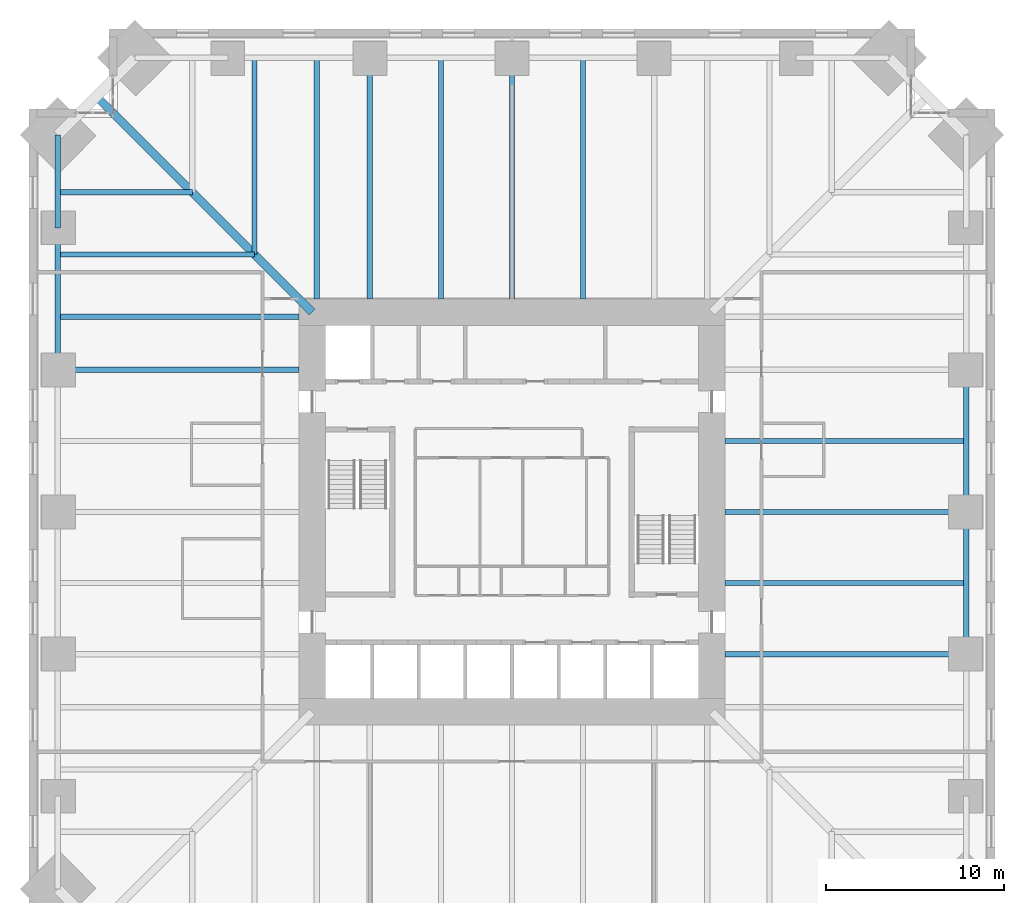
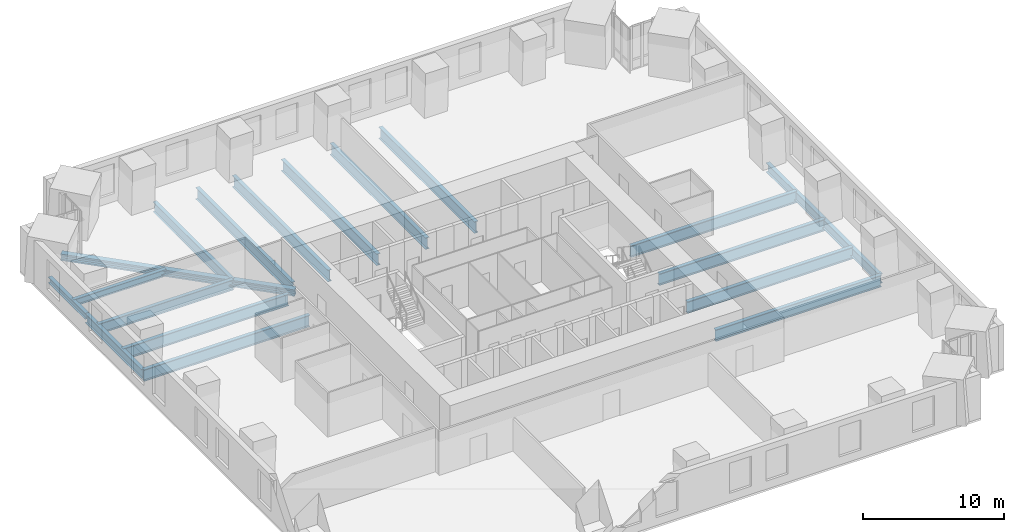
# One storey, part 5 of 16: 19 beams.
"""IFC4 building model written with IfcOpenShell, lengths in metres."""

from ifc_helpers import new_model, si_unit, direction, frame, origin, origin_2d, place, context, subcontext, project, spatial, i_section, extrude, material, material_profile, profile_set, type_object, element, save


model = new_model("IFC4")

# Units and contexts
model_context = context("Model", 3, precision=1e-05, world=origin(), true_north=direction((0.0, 1.0)))
body_context = subcontext(model_context, "Body", "Model", "MODEL_VIEW")
ifc_project = project(units=[si_unit("LENGTHUNIT", "METRE"), si_unit("AREAUNIT", "SQUARE_METRE"), si_unit("VOLUMEUNIT", "CUBIC_METRE"), si_unit("PLANEANGLEUNIT", "RADIAN"), si_unit("MASSUNIT", "GRAM", prefix="KILO")], contexts=[model_context])

# Site, building, storey
site_placement = place(None, origin())
site = spatial("IfcSite", under=ifc_project, at=site_placement, CompositionType="ELEMENT")
building_placement = place(site_placement, origin())
building = spatial("IfcBuilding", under=site, at=building_placement, Name="Peilmerk Tower", CompositionType="ELEMENT")
storey_placement = place(building_placement, frame((0.0, 0.0, 131.800048828125)))
storey = spatial("IfcBuildingStorey", under=building, at=storey_placement, Name="L26", CompositionType="ELEMENT", Elevation=131.800048828125)

# Beams
ifc_material_1 = material(Name="Steel S355", Category="steel")
ifc_material_profile_1 = material_profile(ifc_material_1, i_section(OverallWidth=0.302978515625, OverallDepth=0.81396484375, WebThickness=0.02099609375, FlangeThickness=0.0400390625, at=origin_2d()), Name="HEM 800")
ifc_profile_set_1 = profile_set([ifc_material_profile_1], Name="Steel S355")
beam_type_1 = type_object("IfcBeamType", Name="B15 HEM 800 edge beam", PredefinedType="SPANDREL", material=ifc_profile_set_1)
for number, where, z_axis, x_axis, name in (
    (1, (25.582275390625, -8.0, -0.5771484375), (0.0, 1.0, 0.0), (-1.0, 0.0, 0.0), "Edge beam L26"),
    (2, (25.582275390625, 0.0, -0.5771484375), (0.0, 1.0, 0.0), (-1.0, 0.0, 0.0), "Edge beam L26"),
    (3, (-25.582275390625, 16.0, -0.5771484375), (0.0, -1.0, 0.0), (1.0, 0.0, 0.0), "Edge beam L26"),
):
    element("IfcBeam", number, at=place(storey_placement, frame(where, z_axis=z_axis, x_axis=x_axis)), inside=storey, type_object=beam_type_1, Name=name, PredefinedType="SPANDREL", context=body_context, shape_type="SweptSolid", body=[
        extrude(i_section(OverallWidth=0.302978515625, OverallDepth=0.81396484375, WebThickness=0.02099609375, FlangeThickness=0.0400390625, at=origin_2d()), origin(), (0.0, 0.0, 1.0), 8.0),
    ])
ifc_material_profile_2 = material_profile(ifc_material_1, i_section(OverallWidth=0.302001953125, OverallDepth=1.008056640625, WebThickness=0.02099609375, FlangeThickness=0.0400390625, at=origin_2d()), Name="HEM 1000")
ifc_profile_set_2 = profile_set([ifc_material_profile_2], Name="Steel S355")
beam_type_2 = type_object("IfcBeamType", Name="B24 HEM 1000 floor girder", PredefinedType="BEAM", material=ifc_profile_set_2)
for number, where, z_axis, x_axis, name in (
    (4, (4.0, 12.0, -0.674072265625), (0.0, 1.0, 0.0), (-1.0, 0.0, 0.0), "Floor beam L26"),
    (5, (0.0, 12.0, -0.674072265625), (0.0, 1.0, 0.0), (-1.0, 0.0, 0.0), "Floor beam L26"),
    (6, (-4.0, 12.0, -0.674072265625), (0.0, 1.0, 0.0), (-1.0, 0.0, 0.0), "Floor beam L26"),
    (7, (-8.0, 12.0, -0.674072265625), (0.0, 1.0, 0.0), (-1.0, 0.0, 0.0), "Floor beam L26"),
    (8, (-11.0, 12.0, -0.674072265625), (0.0, 1.0, 0.0), (-1.0, 0.0, 0.0), "Floor beam L26"),
    (9, (12.0, -8.0, -0.674072265625), (1.0, 0.0, 0.0), (0.0, 1.0, 0.0), "Floor beam L26"),
    (10, (12.0, -4.0, -0.674072265625), (1.0, 0.0, 0.0), (0.0, 1.0, 0.0), "Floor beam L26"),
    (11, (12.0, 0.0, -0.674072265625), (1.0, 0.0, 0.0), (0.0, 1.0, 0.0), "Floor beam L26"),
    (12, (12.0, 4.0, -0.674072265625), (1.0, 0.0, 0.0), (0.0, 1.0, 0.0), "Floor beam L26"),
    (13, (-12.0, 11.0, -0.674072265625), (-1.0, 0.0, 0.0), (0.0, -1.0, 0.0), "Floor beam L26"),
    (14, (-12.0, 8.0, -0.674072265625), (-1.0, 0.0, 0.0), (0.0, -1.0, 0.0), "Floor beam L26"),
):
    element("IfcBeam", number, at=place(storey_placement, frame(where, z_axis=z_axis, x_axis=x_axis)), inside=storey, type_object=beam_type_2, Name=name, PredefinedType="BEAM", context=body_context, shape_type="SweptSolid", body=[
        extrude(i_section(OverallWidth=0.302001953125, OverallDepth=1.008056640625, WebThickness=0.02099609375, FlangeThickness=0.0400390625, at=origin_2d()), origin(), (0.0, 0.0, 1.0), 13.582275390625),
    ])
ifc_material_profile_3 = material_profile(ifc_material_1, i_section(OverallWidth=0.300048828125, OverallDepth=0.590087890625, WebThickness=0.012939453125, FlangeThickness=0.02490234375, at=origin_2d()), Name="HEA 600")
ifc_profile_set_3 = profile_set([ifc_material_profile_3], Name="Steel S355")
beam_type_3 = type_object("IfcBeamType", Name="B27 HEA 600 floor beam", PredefinedType="BEAM", material=ifc_profile_set_3)
beam_1_placement = place(storey_placement, frame((-18.0, 18.0, -0.465087890625), z_axis=(-1.0, 0.0, 0.0), x_axis=(0.0, -1.0, 0.0)))
element("IfcBeam", 15, at=beam_1_placement, inside=storey, type_object=beam_type_3, Name="Floor beam L26", PredefinedType="BEAM", context=body_context, shape_type="SweptSolid", body=[
    extrude(i_section(OverallWidth=0.300048828125, OverallDepth=0.590087890625, WebThickness=0.012939453125, FlangeThickness=0.02490234375, at=origin_2d()), origin(), (0.0, 0.0, 1.0), 7.582275390625),
])
ifc_material_profile_4 = material_profile(ifc_material_1, i_section(OverallWidth=0.305908203125, OverallDepth=0.52392578125, WebThickness=0.02099609375, FlangeThickness=0.0400390625, at=origin_2d()), Name="HEM 500")
ifc_profile_set_4 = profile_set([ifc_material_profile_4], Name="Steel S355")
beam_type_4 = type_object("IfcBeamType", Name="B33 HEM 500 edge beam", PredefinedType="SPANDREL", material=ifc_profile_set_4)
beam_2_placement = place(storey_placement, frame((-25.582275390625, 21.232177734375, -0.43212890625), z_axis=(0.0, -1.0, 0.0), x_axis=(1.0, 0.0, 0.0)))
element("IfcBeam", 16, at=beam_2_placement, inside=storey, type_object=beam_type_4, Name="Edge beam L26", PredefinedType="SPANDREL", context=body_context, shape_type="SweptSolid", body=[
    extrude(i_section(OverallWidth=0.305908203125, OverallDepth=0.52392578125, WebThickness=0.02099609375, FlangeThickness=0.0400390625, at=origin_2d()), origin(), (0.0, 0.0, 1.0), 5.232177734375),
])
ifc_material_profile_5 = material_profile(ifc_material_1, i_section(OverallWidth=0.300048828125, OverallDepth=0.889892578125, WebThickness=0.01611328125, FlangeThickness=0.030029296875, at=origin_2d()), Name="HEA 900")
ifc_profile_set_5 = profile_set([ifc_material_profile_5], Name="Steel S355")
beam_type_5 = type_object("IfcBeamType", Name="B4 HEA 900 floor beam", PredefinedType="BEAM", material=ifc_profile_set_5)
for number, where, z_axis, x_axis, name in (
    (17, (-14.5, 14.5, -0.614990234375), (0.0, 1.0, 0.0), (-1.0, 0.0, 0.0), "Floor beam L26"),
    (18, (-14.5, 14.5, -0.614990234375), (-1.0, 0.0, 0.0), (0.0, -1.0, 0.0), "Floor beam L26"),
):
    element("IfcBeam", number, at=place(storey_placement, frame(where, z_axis=z_axis, x_axis=x_axis)), inside=storey, type_object=beam_type_5, Name=name, PredefinedType="BEAM", context=body_context, shape_type="SweptSolid", body=[
        extrude(i_section(OverallWidth=0.300048828125, OverallDepth=0.889892578125, WebThickness=0.01611328125, FlangeThickness=0.030029296875, at=origin_2d()), origin(), (0.0, 0.0, 1.0), 11.082275390625),
    ])
ifc_material_2 = material(Name="Steel S460", Category="steel")
ifc_material_profile_6 = material_profile(ifc_material_2, i_section(OverallWidth=0.4541015625, OverallDepth=0.569091796875, WebThickness=0.077880859375, FlangeThickness=0.125, at=origin_2d()), Name="HD 400x1086")
ifc_profile_set_6 = profile_set([ifc_material_profile_6], Name="Steel S460")
beam_type_6 = type_object("IfcBeamType", Name="B9 HD 400x1086 corner girder", PredefinedType="BEAM", material=ifc_profile_set_6)
beam_3_placement = place(storey_placement, frame((-11.25, 11.25, -0.45458984375), z_axis=(-0.707106781187, 0.707106781187, 0.0), x_axis=(-0.707106781187, -0.707106781187, 0.0)))
element("IfcBeam", 19, at=beam_3_placement, inside=storey, type_object=beam_type_6, Name="Corner girder L26", PredefinedType="BEAM", context=body_context, shape_type="SweptSolid", body=[
    extrude(i_section(OverallWidth=0.4541015625, OverallDepth=0.569091796875, WebThickness=0.077880859375, FlangeThickness=0.125, at=origin_2d()), origin(), (0.0, 0.0, 1.0), 17.19287109375),
])

save(model, "model.ifc")
